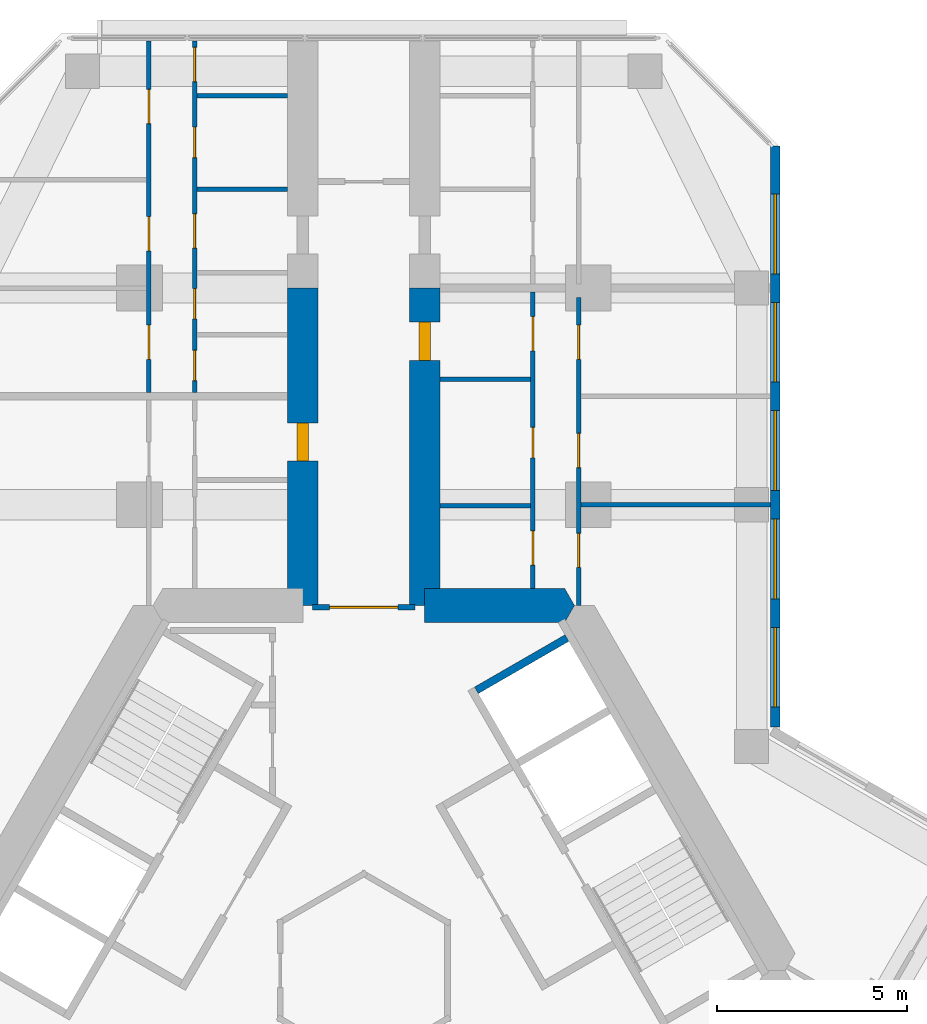
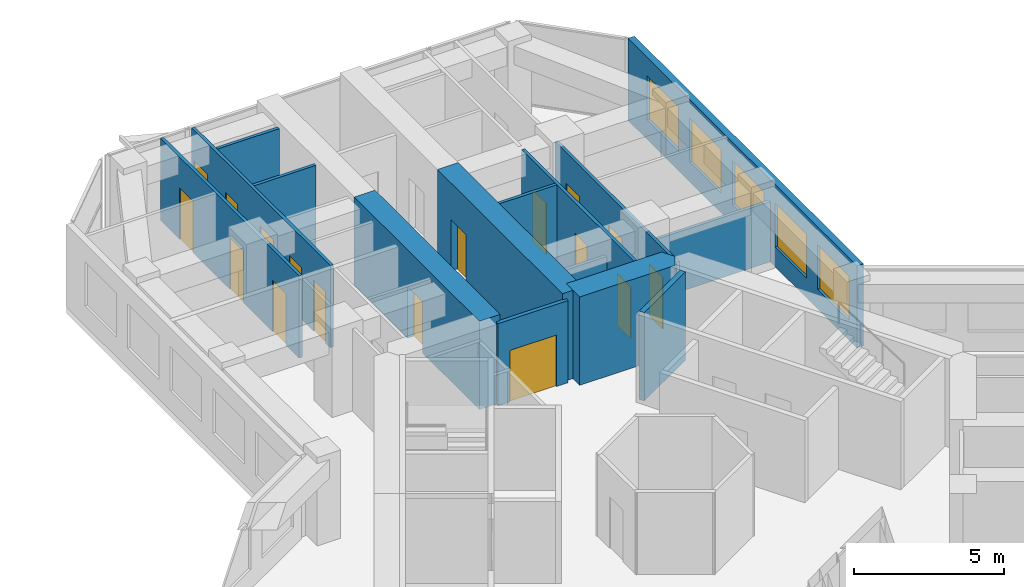
# One storey, part 17 of 19: 17 doors, 15 walls, 5 windows, 22 openings.
"""IFC4 building model written with IfcOpenShell, lengths in metres."""

from ifc_helpers import new_model, si_unit, direction, frame, frame_2d, origin, place, context, subcontext, project, spatial, polyline, rectangle, outline, extrude, material, layer, layer_set, type_object, element, fill, save


model = new_model("IFC4")

# Units and contexts
model_context = context("Model", 3, precision=1e-05, world=origin(), true_north=direction((0.0, 1.0)))
body_context = subcontext(model_context, "Body", "Model", "MODEL_VIEW")
ifc_project = project(units=[si_unit("LENGTHUNIT", "METRE"), si_unit("AREAUNIT", "SQUARE_METRE"), si_unit("VOLUMEUNIT", "CUBIC_METRE"), si_unit("PLANEANGLEUNIT", "RADIAN"), si_unit("MASSUNIT", "GRAM", prefix="KILO")], contexts=[model_context])

# Site, building, storey
site_placement = place(None, origin())
site = spatial("IfcSite", under=ifc_project, at=site_placement, CompositionType="ELEMENT")
building_placement = place(site_placement, origin())
building = spatial("IfcBuilding", under=site, at=building_placement, Name="Kosmar Iwan School Tower", CompositionType="ELEMENT")
storey_placement = place(building_placement, frame((0.0, 0.0, 161.60009765625)))
storey = spatial("IfcBuildingStorey", under=building, at=storey_placement, Name="L40", CompositionType="ELEMENT", Elevation=161.60009765625)

# Wall
ifc_material_1 = material(Name="Concrete C50/60", Category="concrete")
ifc_layer_1 = layer(ifc_material_1, 0.89990234375)
ifc_layer_set_1 = layer_set([ifc_layer_1], Name="Core wall 900")
wall_type_1 = type_object("IfcWallType", Name="Core wall 900", PredefinedType="SHEAR", material=ifc_layer_set_1)
wall_1_placement = place(storey_placement, origin())
element("IfcWall", 1, at=wall_1_placement, inside=storey, type_object=wall_type_1, Name="Core wall F090a", PredefinedType="SHEAR", context=body_context, shape_type="SweptSolid", body=[
    extrude(outline(polyline([(1.60009765625, 9.14990234375), (5.28271484375, 9.14990234375), (5.54248046875, 9.60009765625), (5.28271484375, 10.050048828125), (1.60009765625, 10.050048828125), (1.60009765625, 9.14990234375)])), origin(), (0.0, 0.0, 1.0), 3.599853515625),
])

# Wall, opening, door
ifc_material_2 = material(Name="Concrete C50/60", Category="concrete")
ifc_layer_2 = layer(ifc_material_2, 0.800048828125)
ifc_layer_set_2 = layer_set([ifc_layer_2], Name="Corridor buttress wall 800")
wall_type_2 = type_object("IfcWallType", Name="Corridor buttress wall 800", PredefinedType="SHEAR", material=ifc_layer_set_2)
wall_2_placement = place(storey_placement, frame((-1.60009765625, 9.60009765625, 0.0), z_axis=(0.0, 0.0, 1.0), x_axis=(0.0, 1.0, 0.0)))
wall_2 = element("IfcWall", 2, at=wall_2_placement, inside=storey, type_object=wall_type_2, Name="Corridor wall AL", PredefinedType="SHEAR", context=body_context, shape_type="SweptSolid", body=[
    extrude(rectangle(XDim=8.349853515625, YDim=0.800048828125, at=frame_2d((4.1748046875, 0.0))), origin(), (0.0, 0.0, 1.0), 3.599853515625),
])
opening_1_placement = place(wall_2_placement, frame((3.800048828125, 0.0, 0.0)))
opening_1 = element("IfcOpeningElement", 3, at=opening_1_placement, cuts=wall_2, Name="Opening D1", PredefinedType="OPENING", context=body_context, shape_type="SweptSolid", body=[
    extrude(rectangle(XDim=1.0, YDim=2.10009765625, at=frame_2d((0.5, 1.050048828125))), frame((0.0, 0.412109375, 0.0), z_axis=(0.0, -1.0, 0.0), x_axis=(1.0, 0.0, 0.0)), (0.0, 0.0, 1.0), 0.823974609375),
])
ifc_material_3 = material(Name="Timber fire door in steel frame", Category="steel")
door_type_1 = type_object("IfcDoorType", Name="Flat entrance door 1000x2100", OperationType="SINGLE_SWING_LEFT", PredefinedType="DOOR", material=ifc_material_3)
door_1_placement = place(opening_1_placement, origin())
door_1 = element("IfcDoor", 4, at=door_1_placement, inside=storey, type_object=door_type_1, Name="Flat L40-AL1 entrance door", OperationType="SINGLE_SWING_LEFT", OverallHeight=2.10009765625, OverallWidth=1.0, PredefinedType="DOOR", context=body_context, shape_type="SweptSolid", body=[
    extrude(rectangle(XDim=1.0, YDim=2.10009765625, at=frame_2d((0.5, 1.050048828125))), frame((0.0, 0.14990234375, 0.0), z_axis=(0.0, -1.0, 0.0), x_axis=(1.0, 0.0, 0.0)), (0.0, 0.0, 1.0), 0.300048828125),
])
fill(opening_1, door_1)

wall_3_placement = place(storey_placement, frame((1.60009765625, 9.60009765625, 0.0), z_axis=(0.0, 0.0, 1.0), x_axis=(0.0, 1.0, 0.0)))
wall_3 = element("IfcWall", 5, at=wall_3_placement, inside=storey, type_object=wall_type_2, Name="Corridor wall AR", PredefinedType="SHEAR", context=body_context, shape_type="SweptSolid", body=[
    extrude(rectangle(XDim=8.349853515625, YDim=0.800048828125, at=frame_2d((4.1748046875, 0.0))), origin(), (0.0, 0.0, 1.0), 3.599853515625),
])
opening_2_placement = place(wall_3_placement, frame((6.449951171875, 0.0, 0.0)))
opening_2 = element("IfcOpeningElement", 6, at=opening_2_placement, cuts=wall_3, Name="Opening D1", PredefinedType="OPENING", context=body_context, shape_type="SweptSolid", body=[
    extrude(rectangle(XDim=1.0, YDim=2.10009765625, at=frame_2d((0.5, 1.050048828125))), frame((0.0, 0.412109375, 0.0), z_axis=(0.0, -1.0, 0.0), x_axis=(1.0, 0.0, 0.0)), (0.0, 0.0, 1.0), 0.823974609375),
])
door_2_placement = place(opening_2_placement, origin())
door_2 = element("IfcDoor", 7, at=door_2_placement, inside=storey, type_object=door_type_1, Name="Flat L40-AR1 entrance door", OperationType="SINGLE_SWING_RIGHT", OverallHeight=2.10009765625, OverallWidth=1.0, PredefinedType="DOOR", context=body_context, shape_type="SweptSolid", body=[
    extrude(rectangle(XDim=1.0, YDim=2.10009765625, at=frame_2d((0.5, 1.050048828125))), frame((0.0, 0.14990234375, 0.0), z_axis=(0.0, -1.0, 0.0), x_axis=(1.0, 0.0, 0.0)), (0.0, 0.0, 1.0), 0.300048828125),
])
fill(opening_2, door_2)

ifc_material_4 = material(Name="Steel framed glazed screen", Category="steel")
ifc_layer_3 = layer(ifc_material_4, 0.14990234375)
ifc_layer_set_3 = layer_set([ifc_layer_3], Name="Corridor screen wall 150")
wall_type_3 = type_object("IfcWallType", Name="Corridor screen wall 150", PredefinedType="PARTITIONING", material=ifc_layer_set_3)
wall_4_placement = place(storey_placement, frame((1.35009765625, 9.550048828125, 0.0), z_axis=(0.0, 0.0, 1.0), x_axis=(-1.0, 0.0, 0.0)))
wall_4 = element("IfcWall", 8, at=wall_4_placement, inside=storey, type_object=wall_type_3, Name="Corridor screen A L40", PredefinedType="PARTITIONING", context=body_context, shape_type="SweptSolid", body=[
    extrude(rectangle(XDim=2.7001953125, YDim=0.14990234375, at=frame_2d((1.35009765625, 0.0))), origin(), (0.0, 0.0, 1.0), 3.349853515625),
])
opening_3_placement = place(wall_4_placement, frame((0.449951171875, 0.0, 0.0)))
opening_3 = element("IfcOpeningElement", 9, at=opening_3_placement, cuts=wall_4, Name="Opening D9", PredefinedType="OPENING", context=body_context, shape_type="SweptSolid", body=[
    extrude(rectangle(XDim=1.800048828125, YDim=2.10009765625, at=frame_2d((0.89990234375, 1.050048828125))), frame((0.0, 0.0869140625, 0.0), z_axis=(0.0, -1.0, 0.0), x_axis=(1.0, 0.0, 0.0)), (0.0, 0.0, 1.0), 0.173828125),
])
ifc_material_5 = material(Name="Steel framed glazed smoke door", Category="steel")
door_type_2 = type_object("IfcDoorType", Name="Corridor smoke door pair 1800x2100", OperationType="DOUBLE_DOOR_DOUBLE_SWING", PredefinedType="DOOR", material=ifc_material_5)
door_3_placement = place(opening_3_placement, origin())
door_3 = element("IfcDoor", 10, at=door_3_placement, inside=storey, type_object=door_type_2, Name="Corridor doors A L40", OperationType="DOUBLE_DOOR_DOUBLE_SWING", OverallHeight=2.10009765625, OverallWidth=1.800048828125, PredefinedType="DOOR", context=body_context, shape_type="SweptSolid", body=[
    extrude(rectangle(XDim=1.800048828125, YDim=2.10009765625, at=frame_2d((0.89990234375, 1.050048828125))), frame((0.0, 0.02490234375, 0.0), z_axis=(0.0, -1.0, 0.0), x_axis=(1.0, 0.0, 0.0)), (0.0, 0.0, 1.0), 0.050048828125),
])
fill(opening_3, door_3)

# Wall, openings, doors
ifc_material_6 = material(Name="Gypsum board on steel studs", Category="steel")
ifc_layer_4 = layer(ifc_material_6, 0.1201171875)
ifc_layer_set_4 = layer_set([ifc_layer_4], Name="Dwelling partition 120")
wall_type_4 = type_object("IfcWallType", Name="Dwelling partition 120", PredefinedType="PARTITIONING", material=ifc_layer_set_4)
wall_5_placement = place(storey_placement, frame((-4.449951171875, 15.199951171875, 0.0), z_axis=(0.0, 0.0, 1.0), x_axis=(0.0, 1.0, 0.0)))
wall_5 = element("IfcWall", 11, at=wall_5_placement, inside=storey, type_object=wall_type_4, Name="Partition L40-AL2-W1", PredefinedType="PARTITIONING", context=body_context, shape_type="SweptSolid", body=[
    extrude(rectangle(XDim=9.2451171875, YDim=0.1201171875, at=frame_2d((4.62255859375, 0.0))), origin(), (0.0, 0.0, 1.0), 3.349853515625),
])
opening_4_placement = place(wall_5_placement, frame((0.3125, 0.0, 0.0)))
opening_4 = element("IfcOpeningElement", 12, at=opening_4_placement, cuts=wall_5, Name="Opening D3", PredefinedType="OPENING", context=body_context, shape_type="SweptSolid", body=[
    extrude(rectangle(XDim=0.800048828125, YDim=2.10009765625, at=frame_2d((0.39990234375, 1.050048828125))), frame((0.0, 0.072021484375, 0.0), z_axis=(0.0, -1.0, 0.0), x_axis=(1.0, 0.0, 0.0)), (0.0, 0.0, 1.0), 0.14404296875),
])
opening_5_placement = place(wall_5_placement, frame((1.9375, 0.0, 0.0)))
opening_5 = element("IfcOpeningElement", 13, at=opening_5_placement, cuts=wall_5, Name="Opening D3", PredefinedType="OPENING", context=body_context, shape_type="SweptSolid", body=[
    extrude(rectangle(XDim=0.800048828125, YDim=2.10009765625, at=frame_2d((0.39990234375, 1.050048828125))), frame((0.0, 0.072021484375, 0.0), z_axis=(0.0, -1.0, 0.0), x_axis=(1.0, 0.0, 0.0)), (0.0, 0.0, 1.0), 0.14404296875),
])
opening_6_placement = place(wall_5_placement, frame((3.800048828125, 0.0, 0.0)))
opening_6 = element("IfcOpeningElement", 14, at=opening_6_placement, cuts=wall_5, Name="Opening D2", PredefinedType="OPENING", context=body_context, shape_type="SweptSolid", body=[
    extrude(rectangle(XDim=0.89990234375, YDim=2.10009765625, at=frame_2d((0.449951171875, 1.050048828125))), frame((0.0, 0.072021484375, 0.0), z_axis=(0.0, -1.0, 0.0), x_axis=(1.0, 0.0, 0.0)), (0.0, 0.0, 1.0), 0.14404296875),
])
opening_7_placement = place(wall_5_placement, frame((6.179931640625, 0.0, 0.0)))
opening_7 = element("IfcOpeningElement", 15, at=opening_7_placement, cuts=wall_5, Name="Opening D3", PredefinedType="OPENING", context=body_context, shape_type="SweptSolid", body=[
    extrude(rectangle(XDim=0.800048828125, YDim=2.10009765625, at=frame_2d((0.39990234375, 1.050048828125))), frame((0.0, 0.072021484375, 0.0), z_axis=(0.0, -1.0, 0.0), x_axis=(1.0, 0.0, 0.0)), (0.0, 0.0, 1.0), 0.14404296875),
])
opening_8_placement = place(wall_5_placement, frame((8.179931640625, 0.0, 0.0)))
opening_8 = element("IfcOpeningElement", 16, at=opening_8_placement, cuts=wall_5, Name="Opening D2", PredefinedType="OPENING", context=body_context, shape_type="SweptSolid", body=[
    extrude(rectangle(XDim=0.89990234375, YDim=2.10009765625, at=frame_2d((0.449951171875, 1.050048828125))), frame((0.0, 0.072021484375, 0.0), z_axis=(0.0, -1.0, 0.0), x_axis=(1.0, 0.0, 0.0)), (0.0, 0.0, 1.0), 0.14404296875),
])
ifc_material_7 = material(Name="Timber door in timber frame", Category="wood")
door_type_3 = type_object("IfcDoorType", Name="Internal door 900x2100", OperationType="SINGLE_SWING_LEFT", PredefinedType="DOOR", material=ifc_material_7)
door_4_placement = place(opening_6_placement, origin())
door_4 = element("IfcDoor", 17, at=door_4_placement, inside=storey, type_object=door_type_3, Name="Entrance hall door L40-AL2-S3", OperationType="SINGLE_SWING_LEFT", OverallHeight=2.10009765625, OverallWidth=0.89990234375, PredefinedType="DOOR", context=body_context, shape_type="SweptSolid", body=[
    extrude(rectangle(XDim=0.89990234375, YDim=2.10009765625, at=frame_2d((0.449951171875, 1.050048828125))), frame((0.0, 0.02490234375, 0.0), z_axis=(0.0, -1.0, 0.0), x_axis=(1.0, 0.0, 0.0)), (0.0, 0.0, 1.0), 0.050048828125),
])
fill(opening_6, door_4)
door_5_placement = place(opening_8_placement, origin())
door_5 = element("IfcDoor", 18, at=door_5_placement, inside=storey, type_object=door_type_3, Name="Pantry door L40-AL2-S5", OperationType="SINGLE_SWING_RIGHT", OverallHeight=2.10009765625, OverallWidth=0.89990234375, PredefinedType="DOOR", context=body_context, shape_type="SweptSolid", body=[
    extrude(rectangle(XDim=0.89990234375, YDim=2.10009765625, at=frame_2d((0.449951171875, 1.050048828125))), frame((0.0, 0.02490234375, 0.0), z_axis=(0.0, -1.0, 0.0), x_axis=(1.0, 0.0, 0.0)), (0.0, 0.0, 1.0), 0.050048828125),
])
fill(opening_8, door_5)
ifc_material_8 = material(Name="Timber door in timber frame", Category="wood")
door_type_4 = type_object("IfcDoorType", Name="Sanitary room door 800x2100", OperationType="SINGLE_SWING_LEFT", PredefinedType="DOOR", material=ifc_material_8)
door_6_placement = place(opening_4_placement, origin())
door_6 = element("IfcDoor", 19, at=door_6_placement, inside=storey, type_object=door_type_4, Name="WC door L40-AL2-S1", OperationType="SINGLE_SWING_LEFT", OverallHeight=2.10009765625, OverallWidth=0.800048828125, PredefinedType="DOOR", context=body_context, shape_type="SweptSolid", body=[
    extrude(rectangle(XDim=0.800048828125, YDim=2.10009765625, at=frame_2d((0.39990234375, 1.050048828125))), frame((0.0, 0.02490234375, 0.0), z_axis=(0.0, -1.0, 0.0), x_axis=(1.0, 0.0, 0.0)), (0.0, 0.0, 1.0), 0.050048828125),
])
fill(opening_4, door_6)
door_7_placement = place(opening_5_placement, origin())
door_7 = element("IfcDoor", 20, at=door_7_placement, inside=storey, type_object=door_type_4, Name="Shower room door L40-AL2-S2", OperationType="SINGLE_SWING_LEFT", OverallHeight=2.10009765625, OverallWidth=0.800048828125, PredefinedType="DOOR", context=body_context, shape_type="SweptSolid", body=[
    extrude(rectangle(XDim=0.800048828125, YDim=2.10009765625, at=frame_2d((0.39990234375, 1.050048828125))), frame((0.0, 0.02490234375, 0.0), z_axis=(0.0, -1.0, 0.0), x_axis=(1.0, 0.0, 0.0)), (0.0, 0.0, 1.0), 0.050048828125),
])
fill(opening_5, door_7)
door_8_placement = place(opening_7_placement, origin())
door_8 = element("IfcDoor", 21, at=door_8_placement, inside=storey, type_object=door_type_4, Name="Bathroom door L40-AL2-S4", OperationType="SINGLE_SWING_RIGHT", OverallHeight=2.10009765625, OverallWidth=0.800048828125, PredefinedType="DOOR", context=body_context, shape_type="SweptSolid", body=[
    extrude(rectangle(XDim=0.800048828125, YDim=2.10009765625, at=frame_2d((0.39990234375, 1.050048828125))), frame((0.0, 0.02490234375, 0.0), z_axis=(0.0, -1.0, 0.0), x_axis=(1.0, 0.0, 0.0)), (0.0, 0.0, 1.0), 0.050048828125),
])
fill(opening_7, door_8)

wall_6_placement = place(storey_placement, frame((-5.64990234375, 15.199951171875, 0.0), z_axis=(0.0, 0.0, 1.0), x_axis=(0.0, 1.0, 0.0)))
wall_6 = element("IfcWall", 22, at=wall_6_placement, inside=storey, type_object=wall_type_4, Name="Partition L40-AL2-W2", PredefinedType="PARTITIONING", context=body_context, shape_type="SweptSolid", body=[
    extrude(rectangle(XDim=9.2451171875, YDim=0.1201171875, at=frame_2d((4.62255859375, 0.0))), origin(), (0.0, 0.0, 1.0), 3.349853515625),
])
opening_9_placement = place(wall_6_placement, frame((0.875, 0.0, 0.0)))
opening_9 = element("IfcOpeningElement", 23, at=opening_9_placement, cuts=wall_6, Name="Opening D2", PredefinedType="OPENING", context=body_context, shape_type="SweptSolid", body=[
    extrude(rectangle(XDim=0.89990234375, YDim=2.10009765625, at=frame_2d((0.449951171875, 1.050048828125))), frame((0.0, 0.072021484375, 0.0), z_axis=(0.0, -1.0, 0.0), x_axis=(1.0, 0.0, 0.0)), (0.0, 0.0, 1.0), 0.14404296875),
])
opening_10_placement = place(wall_6_placement, frame((3.72509765625, 0.0, 0.0)))
opening_10 = element("IfcOpeningElement", 24, at=opening_10_placement, cuts=wall_6, Name="Opening D2", PredefinedType="OPENING", context=body_context, shape_type="SweptSolid", body=[
    extrude(rectangle(XDim=0.89990234375, YDim=2.10009765625, at=frame_2d((0.449951171875, 1.050048828125))), frame((0.0, 0.072021484375, 0.0), z_axis=(0.0, -1.0, 0.0), x_axis=(1.0, 0.0, 0.0)), (0.0, 0.0, 1.0), 0.14404296875),
])
opening_11_placement = place(wall_6_placement, frame((7.074951171875, 0.0, 0.0)))
opening_11 = element("IfcOpeningElement", 25, at=opening_11_placement, cuts=wall_6, Name="Opening D2", PredefinedType="OPENING", context=body_context, shape_type="SweptSolid", body=[
    extrude(rectangle(XDim=0.89990234375, YDim=2.10009765625, at=frame_2d((0.449951171875, 1.050048828125))), frame((0.0, 0.072021484375, 0.0), z_axis=(0.0, -1.0, 0.0), x_axis=(1.0, 0.0, 0.0)), (0.0, 0.0, 1.0), 0.14404296875),
])
door_9_placement = place(opening_9_placement, origin())
door_9 = element("IfcDoor", 26, at=door_9_placement, inside=storey, type_object=door_type_3, Name="Bedroom 1 door L40-AL2-F1", OperationType="SINGLE_SWING_LEFT", OverallHeight=2.10009765625, OverallWidth=0.89990234375, PredefinedType="DOOR", context=body_context, shape_type="SweptSolid", body=[
    extrude(rectangle(XDim=0.89990234375, YDim=2.10009765625, at=frame_2d((0.449951171875, 1.050048828125))), frame((0.0, 0.02490234375, 0.0), z_axis=(0.0, -1.0, 0.0), x_axis=(1.0, 0.0, 0.0)), (0.0, 0.0, 1.0), 0.050048828125),
])
fill(opening_9, door_9)
door_10_placement = place(opening_10_placement, origin())
door_10 = element("IfcDoor", 27, at=door_10_placement, inside=storey, type_object=door_type_3, Name="Family room and kitchen door L40-AL2-F2", OperationType="SINGLE_SWING_RIGHT", OverallHeight=2.10009765625, OverallWidth=0.89990234375, PredefinedType="DOOR", context=body_context, shape_type="SweptSolid", body=[
    extrude(rectangle(XDim=0.89990234375, YDim=2.10009765625, at=frame_2d((0.449951171875, 1.050048828125))), frame((0.0, 0.02490234375, 0.0), z_axis=(0.0, -1.0, 0.0), x_axis=(1.0, 0.0, 0.0)), (0.0, 0.0, 1.0), 0.050048828125),
])
fill(opening_10, door_10)
door_11_placement = place(opening_11_placement, origin())
door_11 = element("IfcDoor", 28, at=door_11_placement, inside=storey, type_object=door_type_3, Name="Bedroom 2 door L40-AL2-F3", OperationType="SINGLE_SWING_RIGHT", OverallHeight=2.10009765625, OverallWidth=0.89990234375, PredefinedType="DOOR", context=body_context, shape_type="SweptSolid", body=[
    extrude(rectangle(XDim=0.89990234375, YDim=2.10009765625, at=frame_2d((0.449951171875, 1.050048828125))), frame((0.0, 0.02490234375, 0.0), z_axis=(0.0, -1.0, 0.0), x_axis=(1.0, 0.0, 0.0)), (0.0, 0.0, 1.0), 0.050048828125),
])
fill(opening_11, door_11)

# Walls
for number, where, z_axis, x_axis, name in (
    (29, (-2.0, 20.550048828125, 0.0), (0.0, 0.0, 1.0), (-1.0, 0.0, 0.0), "Partition L40-AL2-Y3"),
    (30, (-2.0, 23.010009765625, 0.0), (0.0, 0.0, 1.0), (-1.0, 0.0, 0.0), "Partition L40-AL2-Y4"),
):
    element("IfcWall", number, at=place(storey_placement, frame(where, z_axis=z_axis, x_axis=x_axis)), inside=storey, type_object=wall_type_4, Name=name, PredefinedType="PARTITIONING", context=body_context, shape_type="SweptSolid", body=[
        extrude(rectangle(XDim=2.389892578125, YDim=0.1201171875, at=frame_2d((1.19482421875, 0.0))), origin(), (0.0, 0.0, 1.0), 3.349853515625),
    ])

# Wall, openings, doors
wall_7_placement = place(storey_placement, frame((4.449951171875, 10.050048828125, 0.0), z_axis=(0.0, 0.0, 1.0), x_axis=(0.0, 1.0, 0.0)))
wall_7 = element("IfcWall", 31, at=wall_7_placement, inside=storey, type_object=wall_type_4, Name="Partition L40-AR1-W1", PredefinedType="PARTITIONING", context=body_context, shape_type="SweptSolid", body=[
    extrude(rectangle(XDim=7.800048828125, YDim=0.1201171875, at=frame_2d((3.89990234375, 0.0))), origin(), (0.0, 0.0, 1.0), 3.349853515625),
])
opening_12_placement = place(wall_7_placement, frame((0.610107421875, 0.0, 0.0)))
opening_12 = element("IfcOpeningElement", 32, at=opening_12_placement, cuts=wall_7, Name="Opening D2", PredefinedType="OPENING", context=body_context, shape_type="SweptSolid", body=[
    extrude(rectangle(XDim=0.89990234375, YDim=2.10009765625, at=frame_2d((0.449951171875, 1.050048828125))), frame((0.0, 0.072021484375, 0.0), z_axis=(0.0, -1.0, 0.0), x_axis=(1.0, 0.0, 0.0)), (0.0, 0.0, 1.0), 0.14404296875),
])
opening_13_placement = place(wall_7_placement, frame((3.43505859375, 0.0, 0.0)))
opening_13 = element("IfcOpeningElement", 33, at=opening_13_placement, cuts=wall_7, Name="Opening D3", PredefinedType="OPENING", context=body_context, shape_type="SweptSolid", body=[
    extrude(rectangle(XDim=0.800048828125, YDim=2.10009765625, at=frame_2d((0.39990234375, 1.050048828125))), frame((0.0, 0.072021484375, 0.0), z_axis=(0.0, -1.0, 0.0), x_axis=(1.0, 0.0, 0.0)), (0.0, 0.0, 1.0), 0.14404296875),
])
opening_14_placement = place(wall_7_placement, frame((6.25, 0.0, 0.0)))
opening_14 = element("IfcOpeningElement", 34, at=opening_14_placement, cuts=wall_7, Name="Opening D2", PredefinedType="OPENING", context=body_context, shape_type="SweptSolid", body=[
    extrude(rectangle(XDim=0.89990234375, YDim=2.10009765625, at=frame_2d((0.449951171875, 1.050048828125))), frame((0.0, 0.072021484375, 0.0), z_axis=(0.0, -1.0, 0.0), x_axis=(1.0, 0.0, 0.0)), (0.0, 0.0, 1.0), 0.14404296875),
])
door_12_placement = place(opening_12_placement, origin())
door_12 = element("IfcDoor", 35, at=door_12_placement, inside=storey, type_object=door_type_3, Name="Pantry door L40-AR1-S1", OperationType="SINGLE_SWING_LEFT", OverallHeight=2.10009765625, OverallWidth=0.89990234375, PredefinedType="DOOR", context=body_context, shape_type="SweptSolid", body=[
    extrude(rectangle(XDim=0.89990234375, YDim=2.10009765625, at=frame_2d((0.449951171875, 1.050048828125))), frame((0.0, 0.02490234375, 0.0), z_axis=(0.0, -1.0, 0.0), x_axis=(1.0, 0.0, 0.0)), (0.0, 0.0, 1.0), 0.050048828125),
])
fill(opening_12, door_12)
door_13_placement = place(opening_14_placement, origin())
door_13 = element("IfcDoor", 36, at=door_13_placement, inside=storey, type_object=door_type_3, Name="Entrance hall door L40-AR1-S3", OperationType="SINGLE_SWING_RIGHT", OverallHeight=2.10009765625, OverallWidth=0.89990234375, PredefinedType="DOOR", context=body_context, shape_type="SweptSolid", body=[
    extrude(rectangle(XDim=0.89990234375, YDim=2.10009765625, at=frame_2d((0.449951171875, 1.050048828125))), frame((0.0, 0.02490234375, 0.0), z_axis=(0.0, -1.0, 0.0), x_axis=(1.0, 0.0, 0.0)), (0.0, 0.0, 1.0), 0.050048828125),
])
fill(opening_14, door_13)
door_14_placement = place(opening_13_placement, origin())
door_14 = element("IfcDoor", 37, at=door_14_placement, inside=storey, type_object=door_type_4, Name="Bathroom door L40-AR1-S2", OperationType="SINGLE_SWING_RIGHT", OverallHeight=2.10009765625, OverallWidth=0.800048828125, PredefinedType="DOOR", context=body_context, shape_type="SweptSolid", body=[
    extrude(rectangle(XDim=0.800048828125, YDim=2.10009765625, at=frame_2d((0.39990234375, 1.050048828125))), frame((0.0, 0.02490234375, 0.0), z_axis=(0.0, -1.0, 0.0), x_axis=(1.0, 0.0, 0.0)), (0.0, 0.0, 1.0), 0.050048828125),
])
fill(opening_13, door_14)

wall_8_placement = place(storey_placement, frame((5.64990234375, 9.60009765625, 0.0), z_axis=(0.0, 0.0, 1.0), x_axis=(0.0, 1.0, 0.0)))
wall_8 = element("IfcWall", 38, at=wall_8_placement, inside=storey, type_object=wall_type_4, Name="Partition L40-AR1-W2", PredefinedType="PARTITIONING", context=body_context, shape_type="SweptSolid", body=[
    extrude(rectangle(XDim=8.099853515625, YDim=0.1201171875, at=frame_2d((4.0498046875, 0.0))), origin(), (0.0, 0.0, 1.0), 3.349853515625),
])
opening_15_placement = place(wall_8_placement, frame((1.0, 0.0, 0.0)))
opening_15 = element("IfcOpeningElement", 39, at=opening_15_placement, cuts=wall_8, Name="Opening D2", PredefinedType="OPENING", context=body_context, shape_type="SweptSolid", body=[
    extrude(rectangle(XDim=0.89990234375, YDim=2.10009765625, at=frame_2d((0.449951171875, 1.050048828125))), frame((0.0, 0.072021484375, 0.0), z_axis=(0.0, -1.0, 0.0), x_axis=(1.0, 0.0, 0.0)), (0.0, 0.0, 1.0), 0.14404296875),
])
opening_16_placement = place(wall_8_placement, frame((3.625, 0.0, 0.0)))
opening_16 = element("IfcOpeningElement", 40, at=opening_16_placement, cuts=wall_8, Name="Opening D2", PredefinedType="OPENING", context=body_context, shape_type="SweptSolid", body=[
    extrude(rectangle(XDim=0.89990234375, YDim=2.10009765625, at=frame_2d((0.449951171875, 1.050048828125))), frame((0.0, 0.072021484375, 0.0), z_axis=(0.0, -1.0, 0.0), x_axis=(1.0, 0.0, 0.0)), (0.0, 0.0, 1.0), 0.14404296875),
])
opening_17_placement = place(wall_8_placement, frame((6.47509765625, 0.0, 0.0)))
opening_17 = element("IfcOpeningElement", 41, at=opening_17_placement, cuts=wall_8, Name="Opening D2", PredefinedType="OPENING", context=body_context, shape_type="SweptSolid", body=[
    extrude(rectangle(XDim=0.89990234375, YDim=2.10009765625, at=frame_2d((0.449951171875, 1.050048828125))), frame((0.0, 0.072021484375, 0.0), z_axis=(0.0, -1.0, 0.0), x_axis=(1.0, 0.0, 0.0)), (0.0, 0.0, 1.0), 0.14404296875),
])
door_15_placement = place(opening_15_placement, origin())
door_15 = element("IfcDoor", 42, at=door_15_placement, inside=storey, type_object=door_type_3, Name="Family room and kitchen door L40-AR1-F1", OperationType="SINGLE_SWING_LEFT", OverallHeight=2.10009765625, OverallWidth=0.89990234375, PredefinedType="DOOR", context=body_context, shape_type="SweptSolid", body=[
    extrude(rectangle(XDim=0.89990234375, YDim=2.10009765625, at=frame_2d((0.449951171875, 1.050048828125))), frame((0.0, 0.02490234375, 0.0), z_axis=(0.0, -1.0, 0.0), x_axis=(1.0, 0.0, 0.0)), (0.0, 0.0, 1.0), 0.050048828125),
])
fill(opening_15, door_15)
door_16_placement = place(opening_16_placement, origin())
door_16 = element("IfcDoor", 43, at=door_16_placement, inside=storey, type_object=door_type_3, Name="Study door L40-AR1-F2", OperationType="SINGLE_SWING_LEFT", OverallHeight=2.10009765625, OverallWidth=0.89990234375, PredefinedType="DOOR", context=body_context, shape_type="SweptSolid", body=[
    extrude(rectangle(XDim=0.89990234375, YDim=2.10009765625, at=frame_2d((0.449951171875, 1.050048828125))), frame((0.0, 0.02490234375, 0.0), z_axis=(0.0, -1.0, 0.0), x_axis=(1.0, 0.0, 0.0)), (0.0, 0.0, 1.0), 0.050048828125),
])
fill(opening_16, door_16)
door_17_placement = place(opening_17_placement, origin())
door_17 = element("IfcDoor", 44, at=door_17_placement, inside=storey, type_object=door_type_3, Name="Bedroom 1 door L40-AR1-F3", OperationType="SINGLE_SWING_RIGHT", OverallHeight=2.10009765625, OverallWidth=0.89990234375, PredefinedType="DOOR", context=body_context, shape_type="SweptSolid", body=[
    extrude(rectangle(XDim=0.89990234375, YDim=2.10009765625, at=frame_2d((0.449951171875, 1.050048828125))), frame((0.0, 0.02490234375, 0.0), z_axis=(0.0, -1.0, 0.0), x_axis=(1.0, 0.0, 0.0)), (0.0, 0.0, 1.0), 0.050048828125),
])
fill(opening_17, door_17)

# Walls
wall_9_placement = place(storey_placement, frame((5.7099609375, 12.25, 0.0), z_axis=(0.0, 0.0, 1.0), x_axis=(1.0, 0.0, 0.0)))
element("IfcWall", 45, at=wall_9_placement, inside=storey, type_object=wall_type_4, Name="Partition L40-AR1-X1", PredefinedType="PARTITIONING", context=body_context, shape_type="SweptSolid", body=[
    extrude(rectangle(XDim=4.989990234375, YDim=0.1201171875, at=frame_2d((2.4951171875, 0.0))), origin(), (0.0, 0.0, 1.0), 2.449951171875),
])
wall_10_placement = place(storey_placement, frame((2.0, 12.219970703125, 0.0), z_axis=(0.0, 0.0, 1.0), x_axis=(1.0, 0.0, 0.0)))
element("IfcWall", 46, at=wall_10_placement, inside=storey, type_object=wall_type_4, Name="Partition L40-AR1-Y1", PredefinedType="PARTITIONING", context=body_context, shape_type="SweptSolid", body=[
    extrude(rectangle(XDim=2.389892578125, YDim=0.1201171875, at=frame_2d((1.19482421875, 0.0))), origin(), (0.0, 0.0, 1.0), 2.449951171875),
])
wall_11_placement = place(storey_placement, frame((2.0, 15.550048828125, 0.0), z_axis=(0.0, 0.0, 1.0), x_axis=(1.0, 0.0, 0.0)))
element("IfcWall", 47, at=wall_11_placement, inside=storey, type_object=wall_type_4, Name="Partition L40-AR1-Y2", PredefinedType="PARTITIONING", context=body_context, shape_type="SweptSolid", body=[
    extrude(rectangle(XDim=2.389892578125, YDim=0.1201171875, at=frame_2d((1.19482421875, 0.0))), origin(), (0.0, 0.0, 1.0), 3.349853515625),
])

# Wall, openings, windows
ifc_material_9 = material(Name="Black aluminium rainscreen on insulated framing", Category="aluminium")
ifc_layer_5 = layer(ifc_material_9, 0.25)
ifc_layer_set_5 = layer_set([ifc_layer_5], Name="External wall rainscreen 250")
wall_type_5 = type_object("IfcWallType", Name="External wall rainscreen 250", PredefinedType="SOLIDWALL", material=ifc_layer_set_5)
wall_12_placement = place(storey_placement, frame((10.824951171875, 6.408935546875, 0.0), z_axis=(0.0, 0.0, 1.0), x_axis=(0.0, 1.0, 0.0)))
wall_12 = element("IfcWall", 48, at=wall_12_placement, inside=storey, type_object=wall_type_5, Name="External wall AR L40", PredefinedType="SOLIDWALL", context=body_context, shape_type="SweptSolid", body=[
    extrude(rectangle(XDim=15.2763671875, YDim=0.25, at=frame_2d((7.63818359375, 0.0))), origin(), (0.0, 0.0, 1.0), 3.349853515625),
])
opening_18_placement = place(wall_12_placement, frame((0.51611328125, 0.0, 0.800048828125)))
opening_18 = element("IfcOpeningElement", 49, at=opening_18_placement, cuts=wall_12, Name="Opening W4", PredefinedType="OPENING", context=body_context, shape_type="SweptSolid", body=[
    extrude(rectangle(XDim=2.10009765625, YDim=1.800048828125, at=frame_2d((1.050048828125, 0.89990234375))), frame((0.0, 0.136962890625, 0.0), z_axis=(0.0, -1.0, 0.0), x_axis=(1.0, 0.0, 0.0)), (0.0, 0.0, 1.0), 0.27392578125),
])
opening_19_placement = place(wall_12_placement, frame((3.365966796875, 0.0, 0.800048828125)))
opening_19 = element("IfcOpeningElement", 50, at=opening_19_placement, cuts=wall_12, Name="Opening W4", PredefinedType="OPENING", context=body_context, shape_type="SweptSolid", body=[
    extrude(rectangle(XDim=2.10009765625, YDim=1.800048828125, at=frame_2d((1.050048828125, 0.89990234375))), frame((0.0, 0.136962890625, 0.0), z_axis=(0.0, -1.0, 0.0), x_axis=(1.0, 0.0, 0.0)), (0.0, 0.0, 1.0), 0.27392578125),
])
opening_20_placement = place(wall_12_placement, frame((6.216064453125, 0.0, 0.800048828125)))
opening_20 = element("IfcOpeningElement", 51, at=opening_20_placement, cuts=wall_12, Name="Opening W4", PredefinedType="OPENING", context=body_context, shape_type="SweptSolid", body=[
    extrude(rectangle(XDim=2.10009765625, YDim=1.800048828125, at=frame_2d((1.050048828125, 0.89990234375))), frame((0.0, 0.136962890625, 0.0), z_axis=(0.0, -1.0, 0.0), x_axis=(1.0, 0.0, 0.0)), (0.0, 0.0, 1.0), 0.27392578125),
])
opening_21_placement = place(wall_12_placement, frame((9.06591796875, 0.0, 0.800048828125)))
opening_21 = element("IfcOpeningElement", 52, at=opening_21_placement, cuts=wall_12, Name="Opening W4", PredefinedType="OPENING", context=body_context, shape_type="SweptSolid", body=[
    extrude(rectangle(XDim=2.10009765625, YDim=1.800048828125, at=frame_2d((1.050048828125, 0.89990234375))), frame((0.0, 0.136962890625, 0.0), z_axis=(0.0, -1.0, 0.0), x_axis=(1.0, 0.0, 0.0)), (0.0, 0.0, 1.0), 0.27392578125),
])
opening_22_placement = place(wall_12_placement, frame((11.916015625, 0.0, 0.800048828125)))
opening_22 = element("IfcOpeningElement", 53, at=opening_22_placement, cuts=wall_12, Name="Opening W4", PredefinedType="OPENING", context=body_context, shape_type="SweptSolid", body=[
    extrude(rectangle(XDim=2.10009765625, YDim=1.800048828125, at=frame_2d((1.050048828125, 0.89990234375))), frame((0.0, 0.136962890625, 0.0), z_axis=(0.0, -1.0, 0.0), x_axis=(1.0, 0.0, 0.0)), (0.0, 0.0, 1.0), 0.27392578125),
])
ifc_material_10 = material(Name="Black aluminium frame with dark triple glazing", Category="aluminium")
window_type = type_object("IfcWindowType", Name="Window 2100x1800", PartitioningType="SINGLE_PANEL", PredefinedType="WINDOW", material=ifc_material_10)
window_1_placement = place(opening_18_placement, origin())
window_1 = element("IfcWindow", 54, at=window_1_placement, inside=storey, type_object=window_type, Name="Window AR L40 -1", OverallHeight=1.800048828125, OverallWidth=2.10009765625, PartitioningType="SINGLE_PANEL", PredefinedType="WINDOW", context=body_context, shape_type="SweptSolid", body=[
    extrude(rectangle(XDim=2.10009765625, YDim=1.800048828125, at=frame_2d((1.050048828125, 0.89990234375))), frame((0.0, 0.030029296875, 0.0), z_axis=(0.0, -1.0, 0.0), x_axis=(1.0, 0.0, 0.0)), (0.0, 0.0, 1.0), 0.06005859375),
])
fill(opening_18, window_1)
window_2_placement = place(opening_19_placement, origin())
window_2 = element("IfcWindow", 55, at=window_2_placement, inside=storey, type_object=window_type, Name="Window AR L40 0", OverallHeight=1.800048828125, OverallWidth=2.10009765625, PartitioningType="SINGLE_PANEL", PredefinedType="WINDOW", context=body_context, shape_type="SweptSolid", body=[
    extrude(rectangle(XDim=2.10009765625, YDim=1.800048828125, at=frame_2d((1.050048828125, 0.89990234375))), frame((0.0, 0.030029296875, 0.0), z_axis=(0.0, -1.0, 0.0), x_axis=(1.0, 0.0, 0.0)), (0.0, 0.0, 1.0), 0.06005859375),
])
fill(opening_19, window_2)
window_3_placement = place(opening_20_placement, origin())
window_3 = element("IfcWindow", 56, at=window_3_placement, inside=storey, type_object=window_type, Name="Window AR L40 1", OverallHeight=1.800048828125, OverallWidth=2.10009765625, PartitioningType="SINGLE_PANEL", PredefinedType="WINDOW", context=body_context, shape_type="SweptSolid", body=[
    extrude(rectangle(XDim=2.10009765625, YDim=1.800048828125, at=frame_2d((1.050048828125, 0.89990234375))), frame((0.0, 0.030029296875, 0.0), z_axis=(0.0, -1.0, 0.0), x_axis=(1.0, 0.0, 0.0)), (0.0, 0.0, 1.0), 0.06005859375),
])
fill(opening_20, window_3)
window_4_placement = place(opening_21_placement, origin())
window_4 = element("IfcWindow", 57, at=window_4_placement, inside=storey, type_object=window_type, Name="Window AR L40 2", OverallHeight=1.800048828125, OverallWidth=2.10009765625, PartitioningType="SINGLE_PANEL", PredefinedType="WINDOW", context=body_context, shape_type="SweptSolid", body=[
    extrude(rectangle(XDim=2.10009765625, YDim=1.800048828125, at=frame_2d((1.050048828125, 0.89990234375))), frame((0.0, 0.030029296875, 0.0), z_axis=(0.0, -1.0, 0.0), x_axis=(1.0, 0.0, 0.0)), (0.0, 0.0, 1.0), 0.06005859375),
])
fill(opening_21, window_4)
window_5_placement = place(opening_22_placement, origin())
window_5 = element("IfcWindow", 58, at=window_5_placement, inside=storey, type_object=window_type, Name="Window AR L40 3", OverallHeight=1.800048828125, OverallWidth=2.10009765625, PartitioningType="SINGLE_PANEL", PredefinedType="WINDOW", context=body_context, shape_type="SweptSolid", body=[
    extrude(rectangle(XDim=2.10009765625, YDim=1.800048828125, at=frame_2d((1.050048828125, 0.89990234375))), frame((0.0, 0.030029296875, 0.0), z_axis=(0.0, -1.0, 0.0), x_axis=(1.0, 0.0, 0.0)), (0.0, 0.0, 1.0), 0.06005859375),
])
fill(opening_22, window_5)

# Wall
ifc_material_11 = material(Name="Concrete C50/60", Category="concrete")
ifc_layer_6 = layer(ifc_material_11, 0.199951171875)
ifc_layer_set_6 = layer_set([ifc_layer_6], Name="Lift shaft wall 200")
wall_type_6 = type_object("IfcWallType", Name="Lift shaft wall 200", PredefinedType="SHEAR", material=ifc_layer_set_6)
wall_13_placement = place(storey_placement, frame((2.962646484375, 7.368408203125, 0.0), z_axis=(0.0, 0.0, 1.0), x_axis=(0.866027397988, 0.499996545922, 0.0)))
element("IfcWall", 59, at=wall_13_placement, inside=storey, type_object=wall_type_6, Name="Lift shaft wall AC 2", PredefinedType="SHEAR", context=body_context, shape_type="SweptSolid", body=[
    extrude(rectangle(XDim=2.75, YDim=0.199951171875, at=frame_2d((1.375, 0.0))), origin(), (0.0, 0.0, 1.0), 3.599853515625),
])

save(model, "model.ifc")
